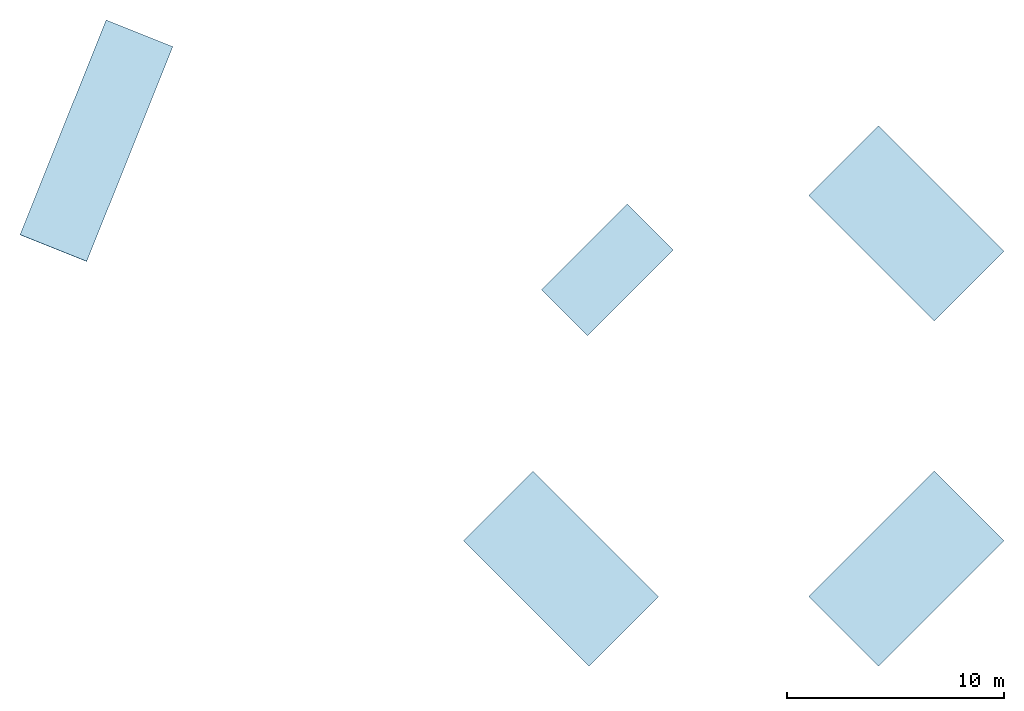
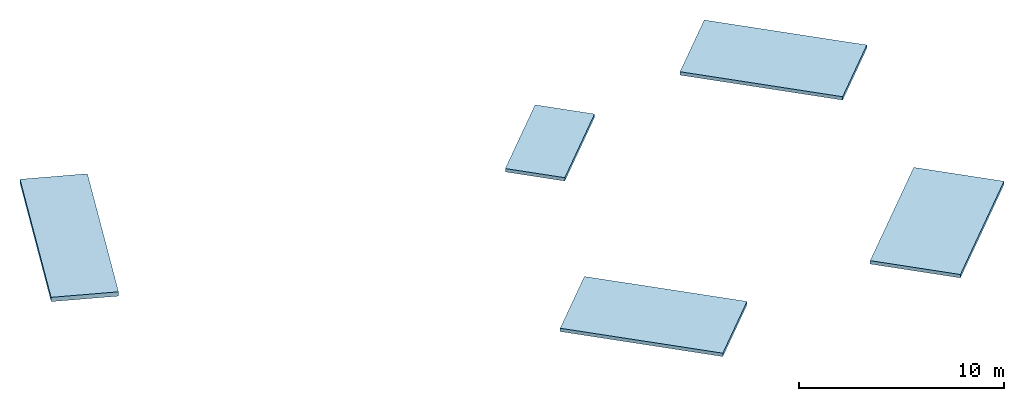
# One storey: 5 slabs.
"""IFC4 building model written with IfcOpenShell, lengths in metres."""

from ifc_helpers import new_model, si_unit, direction, frame, origin, place, context, subcontext, project, spatial, polyline, outline, extrude, material, layer, layer_set, type_object, element, save


model = new_model("IFC4")

# Units and contexts
model_context = context("Model", 3, precision=1e-05, world=origin(), true_north=direction((0.0, 1.0)))
body_context = subcontext(model_context, "Body", "Model", "MODEL_VIEW")
ifc_project = project(units=[si_unit("LENGTHUNIT", "METRE"), si_unit("AREAUNIT", "SQUARE_METRE"), si_unit("VOLUMEUNIT", "CUBIC_METRE"), si_unit("PLANEANGLEUNIT", "RADIAN"), si_unit("MASSUNIT", "GRAM", prefix="KILO")], contexts=[model_context])

# Site, building, storey
site_placement = place(None, origin())
site = spatial("IfcSite", under=ifc_project, at=site_placement, CompositionType="ELEMENT")
building_placement = place(site_placement, origin())
building = spatial("IfcBuilding", under=site, at=building_placement, Name="Verdalira Terraces Hotel", CompositionType="ELEMENT")
storey_placement = place(building_placement, frame((0.0, 0.0, 318.600098)))
storey = spatial("IfcBuildingStorey", under=building, at=storey_placement, Name="ROOF", CompositionType="ELEMENT", Elevation=318.60009765625)

# Slabs
ifc_material_1 = material(Name="Concrete C40", Category="concrete")
ifc_layer_1 = layer(ifc_material_1, 0.199951171875)
ifc_layer_set_1 = layer_set([ifc_layer_1], Name="Crown head-house roof slab 200 mm")
slab_type_1 = type_object("IfcSlabType", Name="Crown head-house roof slab 200 mm", PredefinedType="ROOF", material=ifc_layer_set_1)
slab_1_placement = place(storey_placement, origin())
element("IfcSlab", 1, at=slab_1_placement, inside=storey, type_object=slab_type_1, Name="Stair ST1 head-house roof", PredefinedType="ROOF", context=body_context, shape_type="SweptSolid", body=[
    extrude(outline(polyline([(6.682129, 12.480469), (12.480469, 6.682129), (9.263184, 3.464844), (3.464844, 9.263184), (6.682129, 12.480469)])), origin(), (0.0, 0.0, 1.0), 0.199951),
])
slab_2_placement = place(storey_placement, origin())
element("IfcSlab", 2, at=slab_2_placement, inside=storey, type_object=slab_type_1, Name="Stair ST2 head-house roof", PredefinedType="ROOF", context=body_context, shape_type="SweptSolid", body=[
    extrude(outline(polyline([(-3.464844, -9.263184), (-6.682129, -12.480469), (-12.480469, -6.682129), (-9.263184, -3.464844), (-3.464844, -9.263184)])), origin(), (0.0, 0.0, 1.0), 0.199951),
])
slab_3_placement = place(storey_placement, origin())
element("IfcSlab", 3, at=slab_3_placement, inside=storey, type_object=slab_type_1, Name="Stair ST3 head-house roof", PredefinedType="ROOF", context=body_context, shape_type="SweptSolid", body=[
    extrude(outline(polyline([(3.464844, -9.263184), (9.263184, -3.464844), (12.480469, -6.682129), (6.682129, -12.480469), (3.464844, -9.263184)])), origin(), (0.0, 0.0, 1.0), 0.199951),
])
slab_4_placement = place(storey_placement, frame((0.0, 0.0, 1.199951)))
element("IfcSlab", 4, at=slab_4_placement, inside=storey, type_object=slab_type_1, Name="Roof lift lobby roof", PredefinedType="ROOF", context=body_context, shape_type="SweptSolid", body=[
    extrude(outline(polyline([(-4.914307, 8.874268), (-2.793213, 6.75293), (-6.75293, 2.793213), (-8.874268, 4.914307), (-4.914307, 8.874268)])), origin(), (0.0, 0.0, 1.0), 0.199951),
])
ifc_material_2 = material(Name="Concrete C40", Category="concrete")
ifc_layer_2 = layer(ifc_material_2, 0.25)
ifc_layer_set_2 = layer_set([ifc_layer_2], Name="Plant room roof slab 250 mm")
slab_type_2 = type_object("IfcSlabType", Name="Plant room roof slab 250 mm", PredefinedType="ROOF", material=ifc_layer_set_2)
slab_5_placement = place(storey_placement, frame((-25.90332, 16.134521, 0.25), z_axis=(0.013275558, 0.033122576, 0.999363124), x_axis=(-0.371776387, -0.927636228, 0.035683967)))
element("IfcSlab", 5, at=slab_5_placement, inside=storey, type_object=slab_type_2, Name="Plant room roof slab", PredefinedType="ROOF", context=body_context, shape_type="SweptSolid", body=[
    extrude(outline(polyline([(0.0, 0.0), (10.68692, 0.0), (10.686742, -3.316993), (4.8e-05, -3.316902), (0.0, 0.0)])), origin(), (0.0, 0.0, -1.0), 0.25),
])

save(model, "model.ifc")
